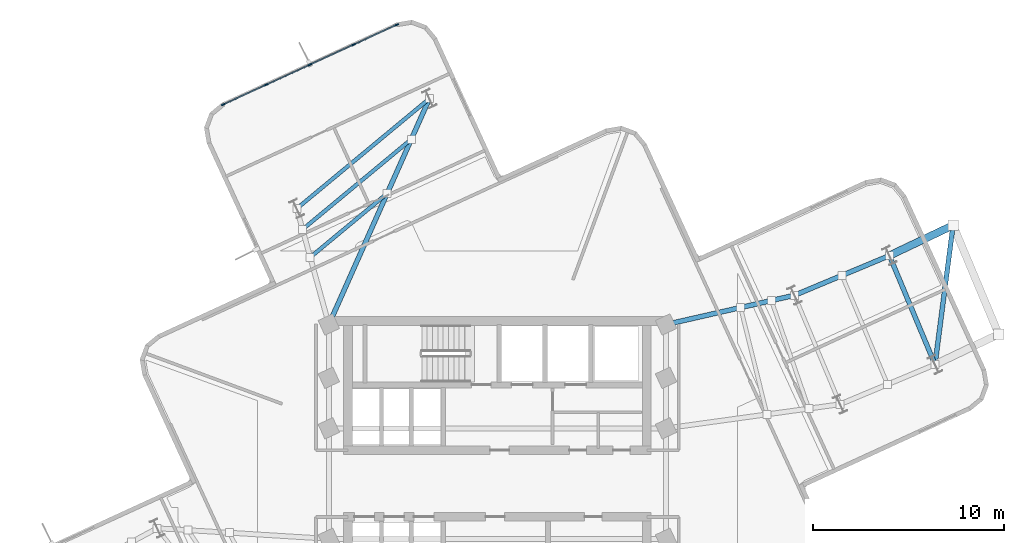
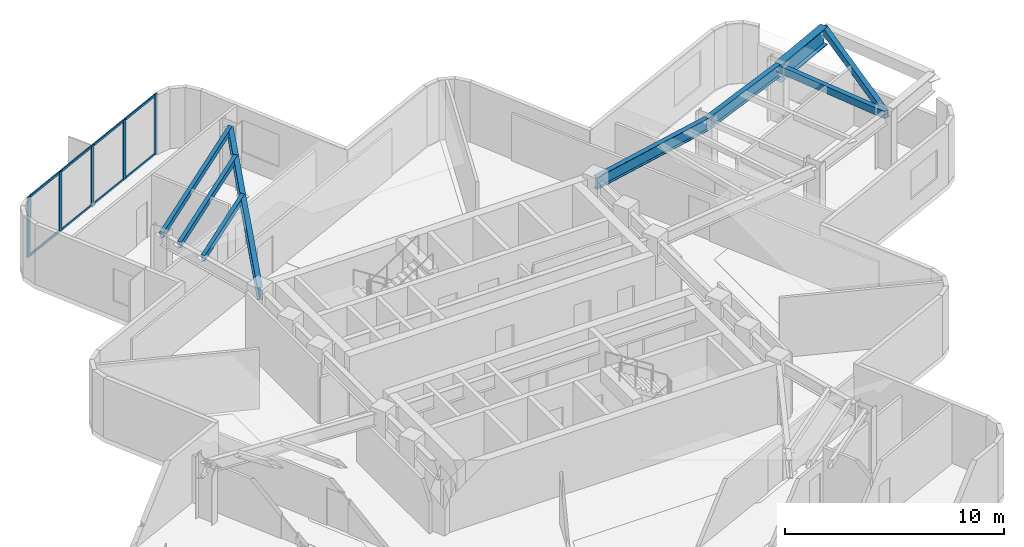
# One storey, part 4 of 11: 13 members, 9 beams, 1 element without a shape of its own.
"""IFC4 building model written with IfcOpenShell, lengths in metres."""

from ifc_helpers import new_model, si_unit, direction, frame, origin, origin_2d, place, context, subcontext, project, spatial, rectangle, hollow_rectangle, i_section, extrude, material, layer, layer_set, material_profile, profile_set, type_object, element, aggregate, save


model = new_model("IFC4")

# Units and contexts
model_context = context("Model", 3, precision=1e-05, world=origin(), true_north=direction((0.0, 1.0)))
body_context = subcontext(model_context, "Body", "Model", "MODEL_VIEW")
ifc_project = project(units=[si_unit("LENGTHUNIT", "METRE"), si_unit("AREAUNIT", "SQUARE_METRE"), si_unit("VOLUMEUNIT", "CUBIC_METRE"), si_unit("PLANEANGLEUNIT", "RADIAN"), si_unit("MASSUNIT", "GRAM", prefix="KILO")], contexts=[model_context])

# Site, building, storey
site_placement = place(None, origin())
site = spatial("IfcSite", under=ifc_project, at=site_placement, CompositionType="ELEMENT")
building_placement = place(site_placement, origin())
building = spatial("IfcBuilding", under=site, at=building_placement, Name="Solmarez Civic Tower", CompositionType="ELEMENT")
storey_placement = place(building_placement, frame((0.0, 0.0, 184.679931640625)))
storey = spatial("IfcBuildingStorey", under=building, at=storey_placement, Name="L49", CompositionType="ELEMENT", Elevation=184.679931640625)

# Beams
ifc_material_1 = material(Name="Steel S355", Category="steel")
ifc_material_profile_1 = material_profile(ifc_material_1, hollow_rectangle(XDim=0.199951171875, YDim=0.300048828125, WallThickness=0.011962890625, at=origin_2d()), Name="HSS300X200X12")
ifc_profile_set_1 = profile_set([ifc_material_profile_1], Name="Steel S355")
beam_type_1 = type_object("IfcBeamType", Name="BM-JS-HSS300X200", PredefinedType="JOIST", material=ifc_profile_set_1)
beam_1_placement = place(storey_placement, frame((-3.570068359375, 20.20703125, 3.190185546875), z_axis=(-0.769767664309, -0.638324167633, 0.0), x_axis=(0.638324167633, -0.769767664309, 0.0)))
element("IfcBeam", 1, at=beam_1_placement, inside=storey, type_object=beam_type_1, Name="L49 Secondary Floor Joist BM-L49-NA-T1", PredefinedType="JOIST", context=body_context, shape_type="SweptSolid", body=[
    extrude(hollow_rectangle(XDim=0.199951171875, YDim=0.300048828125, WallThickness=0.011962890625, at=origin_2d()), origin(), (0.0, 0.0, 1.0), 9.04541015625),
])
beam_2_placement = place(storey_placement, frame((-5.7880859375, 15.22705078125, 3.190185546875), z_axis=(-0.76969549019, -0.63841119381, 0.0), x_axis=(0.63841119381, -0.76969549019, 0.0)))
element("IfcBeam", 2, at=beam_2_placement, inside=storey, type_object=beam_type_1, Name="L49 Secondary Floor Joist JS-L49-NA-M11", PredefinedType="JOIST", context=body_context, shape_type="SweptSolid", body=[
    extrude(hollow_rectangle(XDim=0.199951171875, YDim=0.300048828125, WallThickness=0.011962890625, at=origin_2d()), origin(), (0.0, 0.0, 1.0), 5.24609375),
])
beam_3_placement = place(storey_placement, frame((-4.52001953125, 18.072998046875, 3.190185546875), z_axis=(-0.769756777075, -0.638337296535, 0.0), x_axis=(0.638337296535, -0.769756777075, 0.0)))
element("IfcBeam", 3, at=beam_3_placement, inside=storey, type_object=beam_type_1, Name="L49 Secondary Floor Joist JS-L49-NA-M12", PredefinedType="JOIST", context=body_context, shape_type="SweptSolid", body=[
    extrude(hollow_rectangle(XDim=0.199951171875, YDim=0.300048828125, WallThickness=0.011962890625, at=origin_2d()), origin(), (0.0, 0.0, 1.0), 7.41796875),
])
ifc_material_profile_2 = material_profile(ifc_material_1, i_section(OverallWidth=0.25390625, OverallDepth=0.68798828125, WebThickness=0.01318359375, FlangeThickness=0.02099609375, at=origin_2d()), Name="W27X102")
ifc_profile_set_2 = profile_set([ifc_material_profile_2], Name="Steel S355")
beam_type_2 = type_object("IfcBeamType", Name="BM-PR-W27X102", PredefinedType="BEAM", material=ifc_profile_set_2)
beam_4_placement = place(storey_placement, frame((8.85009765625, 8.35009765625, 2.99609375), z_axis=(0.975124879448, 0.221656196577, 0.0), x_axis=(-0.221656196577, 0.975124879448, 0.0)))
element("IfcBeam", 4, at=beam_4_placement, inside=storey, type_object=beam_type_2, Name="L49 Primary Floor Beam BM-L49-EA-R1B", PredefinedType="BEAM", context=body_context, shape_type="SweptSolid", body=[
    extrude(i_section(OverallWidth=0.25390625, OverallDepth=0.68798828125, WebThickness=0.01318359375, FlangeThickness=0.02099609375, at=origin_2d()), origin(), (0.0, 0.0, 1.0), 6.916015625),
])
beam_5_placement = place(storey_placement, frame((15.593994140625, 9.883056640625, 2.99609375), z_axis=(0.922538326171, 0.385905476438, 0.0), x_axis=(-0.385905476438, 0.922538326171, 0.0)))
element("IfcBeam", 5, at=beam_5_placement, inside=storey, type_object=beam_type_2, Name="L49 Primary Floor Beam BM-L49-EA-R2B", PredefinedType="BEAM", context=body_context, shape_type="SweptSolid", body=[
    extrude(i_section(OverallWidth=0.25390625, OverallDepth=0.68798828125, WebThickness=0.01318359375, FlangeThickness=0.02099609375, at=origin_2d()), origin(), (0.0, 0.0, 1.0), 5.400146484375),
])
beam_6_placement = place(storey_placement, frame((-8.85009765625, 8.35009765625, 2.99609375), z_axis=(0.406799805731, 0.9135173332, 0.0), x_axis=(-0.9135173332, 0.406799805731, 0.0)))
element("IfcBeam", 6, at=beam_6_placement, inside=storey, type_object=beam_type_2, Name="L49 Primary Floor Beam BM-L49-NA-R1A", PredefinedType="BEAM", context=body_context, shape_type="SweptSolid", body=[
    extrude(i_section(OverallWidth=0.25390625, OverallDepth=0.68798828125, WebThickness=0.01318359375, FlangeThickness=0.02099609375, at=origin_2d()), origin(), (0.0, 0.0, 1.0), 12.9794921875),
])
ifc_material_profile_3 = material_profile(ifc_material_1, hollow_rectangle(XDim=0.25, YDim=0.39990234375, WallThickness=0.01611328125, at=origin_2d()), Name="HSS400X250X16")
ifc_profile_set_3 = profile_set([ifc_material_profile_3], Name="Steel S355")
beam_type_3 = type_object("IfcBeamType", Name="BM-SP-HSS400X250", PredefinedType="SPANDREL", material=ifc_profile_set_3)
beam_7_placement = place(storey_placement, frame((22.968017578125, 6.248046875, 3.14013671875), z_axis=(-0.385876218946, 0.922550564279, 0.0), x_axis=(-0.922550564279, -0.385876218946, 0.0)))
element("IfcBeam", 7, at=beam_7_placement, inside=storey, type_object=beam_type_3, Name="L49 Perimeter Spandrel Beam BM-L49-EA-T2", PredefinedType="SPANDREL", context=body_context, shape_type="SweptSolid", body=[
    extrude(hollow_rectangle(XDim=0.25, YDim=0.39990234375, WallThickness=0.01611328125, at=origin_2d()), origin(), (0.0, 0.0, 1.0), 6.19921875),
])
beam_8_placement = place(storey_placement, frame((22.968017578125, 6.248046875, 3.14013671875), z_axis=(0.128737398364, 0.991678719275, 0.0), x_axis=(-0.991678719275, 0.128737398364, 0.0)))
element("IfcBeam", 8, at=beam_8_placement, inside=storey, type_object=beam_type_3, Name="L49 Perimeter Spandrel Beam BM-POOL-DIAG-L49", PredefinedType="SPANDREL", context=body_context, shape_type="SweptSolid", body=[
    extrude(hollow_rectangle(XDim=0.25, YDim=0.39990234375, WallThickness=0.01611328125, at=origin_2d()), origin(), (0.0, 0.0, 1.0), 7.371337890625),
])
ifc_material_profile_4 = material_profile(ifc_material_1, i_section(OverallWidth=0.39892578125, OverallDepth=1.0, WebThickness=0.01904296875, FlangeThickness=0.0361328125, at=origin_2d()), Name="W40X249")
ifc_profile_set_4 = profile_set([ifc_material_profile_4], Name="Steel S355")
beam_type_4 = type_object("IfcBeamType", Name="BM-TG-W40X249", PredefinedType="USERDEFINED", material=ifc_profile_set_4)
beam_9_placement = place(storey_placement, frame((20.575927734375, 11.967041015625, 2.840087890625), z_axis=(0.90285198229, 0.429951506656, 0.0), x_axis=(-0.429951506656, 0.90285198229, 0.0)))
element("IfcBeam", 9, at=beam_9_placement, inside=storey, type_object=beam_type_4, Name="L49 Transfer Girder TG-POOL-CANT-N", ObjectType="TRANSFER_GIRDER", PredefinedType="USERDEFINED", context=body_context, shape_type="SweptSolid", body=[
    extrude(i_section(OverallWidth=0.39892578125, OverallDepth=1.0, WebThickness=0.01904296875, FlangeThickness=0.0361328125, at=origin_2d()), origin(), (0.0, 0.0, 1.0), 3.70068359375),
])

# Curtain wall, members
ifc_material_2 = material(Name="Bronze Anodised Aluminium EN AW-6063 T6", Category="aluminium")
ifc_layer = layer(ifc_material_2, 0.2099609375)
ifc_layer_set = layer_set([ifc_layer], Name="Bronze Anodised Aluminium EN AW-6063 T6")
curtain_wall_type = type_object("IfcCurtainWallType", Name="CW-SYS-5", PredefinedType="NOTDEFINED", material=ifc_layer_set)
curtain_wall_placement = place(storey_placement, origin())
curtain_wall = element("IfcCurtainWall", 10, at=curtain_wall_placement, inside=storey, type_object=curtain_wall_type, Name="L49 Stick-Built Curtain Wall 2", PredefinedType="NOTDEFINED")
ifc_material_profile_5 = material_profile(ifc_material_2, rectangle(XDim=0.074951171875, YDim=0.199951171875, at=origin_2d()), Name="CWM-75X200")
ifc_profile_set_5 = profile_set([ifc_material_profile_5], Name="Bronze Anodised Aluminium EN AW-6063 T6")
member_type_1 = type_object("IfcMemberType", Name="CWM-TYPE-1", PredefinedType="MULLION", material=ifc_profile_set_5)
member_1_placement = place(storey_placement, frame((-14.39599609375, 19.896728515625, 0.0), z_axis=(0.0, 0.0, 1.0), x_axis=(-0.417469242296, 0.908691054064, 0.0)))
member_1 = element("IfcMember", 11, at=member_1_placement, type_object=member_type_1, Name="CWS5 mullion 1", PredefinedType="MULLION", context=body_context, shape_type="SweptSolid", body=[
    extrude(rectangle(XDim=0.074951171875, YDim=0.199951171875, at=origin_2d()), origin(), (0.0, 0.0, 1.0), 3.340087890625),
])
member_2_placement = place(storey_placement, frame((-12.13525390625, 20.935302734375, 0.0), z_axis=(0.0, 0.0, 1.0), x_axis=(-0.417469242296, 0.908691054064, 0.0)))
member_2 = element("IfcMember", 12, at=member_2_placement, type_object=member_type_1, Name="CWS5 mullion 2", PredefinedType="MULLION", context=body_context, shape_type="SweptSolid", body=[
    extrude(rectangle(XDim=0.074951171875, YDim=0.199951171875, at=origin_2d()), origin(), (0.0, 0.0, 1.0), 3.340087890625),
])
member_3_placement = place(storey_placement, frame((-9.840576171875, 21.989501953125, 0.0), z_axis=(0.0, 0.0, 1.0), x_axis=(-0.417469242296, 0.908691054064, 0.0)))
member_3 = element("IfcMember", 13, at=member_3_placement, type_object=member_type_1, Name="CWS5 mullion 3", PredefinedType="MULLION", context=body_context, shape_type="SweptSolid", body=[
    extrude(rectangle(XDim=0.074951171875, YDim=0.199951171875, at=origin_2d()), origin(), (0.0, 0.0, 1.0), 3.340087890625),
])
member_4_placement = place(storey_placement, frame((-7.545654296875, 23.043701171875, 0.0), z_axis=(0.0, 0.0, 1.0), x_axis=(-0.417469242296, 0.908691054064, 0.0)))
member_4 = element("IfcMember", 14, at=member_4_placement, type_object=member_type_1, Name="CWS5 mullion 4", PredefinedType="MULLION", context=body_context, shape_type="SweptSolid", body=[
    extrude(rectangle(XDim=0.074951171875, YDim=0.199951171875, at=origin_2d()), origin(), (0.0, 0.0, 1.0), 3.340087890625),
])
member_5_placement = place(storey_placement, frame((-5.28515625, 24.082275390625, 0.0), z_axis=(0.0, 0.0, 1.0), x_axis=(-0.417469242296, 0.908691054064, 0.0)))
member_5 = element("IfcMember", 15, at=member_5_placement, type_object=member_type_1, Name="CWS5 mullion 5", PredefinedType="MULLION", context=body_context, shape_type="SweptSolid", body=[
    extrude(rectangle(XDim=0.074951171875, YDim=0.199951171875, at=origin_2d()), origin(), (0.0, 0.0, 1.0), 3.340087890625),
])
ifc_material_profile_6 = material_profile(ifc_material_2, rectangle(XDim=0.06494140625, YDim=0.125, at=origin_2d()), Name="CWT-65X125")
ifc_profile_set_6 = profile_set([ifc_material_profile_6], Name="Bronze Anodised Aluminium EN AW-6063 T6")
member_type_2 = type_object("IfcMemberType", Name="CWT-TYPE-2", PredefinedType="USERDEFINED", material=ifc_profile_set_6)
member_6_placement = place(storey_placement, frame((-14.36181640625, 19.912353515625, 0.032470703125), z_axis=(0.908674768912, 0.41750468781, 0.0), x_axis=(-0.41750468781, 0.908674768912, 0.0)))
member_6 = element("IfcMember", 16, at=member_6_placement, type_object=member_type_2, Name="CWS5 transom 1.1", ObjectType="TRANSOM", PredefinedType="USERDEFINED", context=body_context, shape_type="SweptSolid", body=[
    extrude(rectangle(XDim=0.06494140625, YDim=0.125, at=origin_2d()), origin(), (0.0, 0.0, 1.0), 2.412841796875),
])
member_7_placement = place(storey_placement, frame((-14.36181640625, 19.912353515625, 3.3076171875), z_axis=(0.908674768912, 0.41750468781, 0.0), x_axis=(-0.41750468781, 0.908674768912, 0.0)))
member_7 = element("IfcMember", 17, at=member_7_placement, type_object=member_type_2, Name="CWS5 transom 1.2", ObjectType="TRANSOM", PredefinedType="USERDEFINED", context=body_context, shape_type="SweptSolid", body=[
    extrude(rectangle(XDim=0.06494140625, YDim=0.125, at=origin_2d()), origin(), (0.0, 0.0, 1.0), 2.412841796875),
])
member_8_placement = place(storey_placement, frame((-12.10107421875, 20.950927734375, 0.032470703125), z_axis=(0.908687059762, 0.417477936448, 0.0), x_axis=(-0.417477936448, 0.908687059762, 0.0)))
member_8 = element("IfcMember", 18, at=member_8_placement, type_object=member_type_2, Name="CWS5 transom 2.1", ObjectType="TRANSOM", PredefinedType="USERDEFINED", context=body_context, shape_type="SweptSolid", body=[
    extrude(rectangle(XDim=0.06494140625, YDim=0.125, at=origin_2d()), origin(), (0.0, 0.0, 1.0), 2.4501953125),
])
member_9_placement = place(storey_placement, frame((-12.10107421875, 20.950927734375, 3.3076171875), z_axis=(0.908687059762, 0.417477936448, 0.0), x_axis=(-0.417477936448, 0.908687059762, 0.0)))
member_9 = element("IfcMember", 19, at=member_9_placement, type_object=member_type_2, Name="CWS5 transom 2.2", ObjectType="TRANSOM", PredefinedType="USERDEFINED", context=body_context, shape_type="SweptSolid", body=[
    extrude(rectangle(XDim=0.06494140625, YDim=0.125, at=origin_2d()), origin(), (0.0, 0.0, 1.0), 2.4501953125),
])
member_10_placement = place(storey_placement, frame((-9.806396484375, 22.005126953125, 0.032470703125), z_axis=(0.908687059762, 0.417477936448, 0.0), x_axis=(-0.417477936448, 0.908687059762, 0.0)))
member_10 = element("IfcMember", 20, at=member_10_placement, type_object=member_type_2, Name="CWS5 transom 3.1", ObjectType="TRANSOM", PredefinedType="USERDEFINED", context=body_context, shape_type="SweptSolid", body=[
    extrude(rectangle(XDim=0.06494140625, YDim=0.125, at=origin_2d()), origin(), (0.0, 0.0, 1.0), 2.4501953125),
])
member_11_placement = place(storey_placement, frame((-9.806396484375, 22.005126953125, 3.3076171875), z_axis=(0.908687059762, 0.417477936448, 0.0), x_axis=(-0.417477936448, 0.908687059762, 0.0)))
member_11 = element("IfcMember", 21, at=member_11_placement, type_object=member_type_2, Name="CWS5 transom 3.2", ObjectType="TRANSOM", PredefinedType="USERDEFINED", context=body_context, shape_type="SweptSolid", body=[
    extrude(rectangle(XDim=0.06494140625, YDim=0.125, at=origin_2d()), origin(), (0.0, 0.0, 1.0), 2.4501953125),
])
member_12_placement = place(storey_placement, frame((-7.51171875, 23.059326171875, 0.032470703125), z_axis=(0.908692404703, 0.417466302394, 0.0), x_axis=(-0.417466302394, 0.908692404703, 0.0)))
member_12 = element("IfcMember", 22, at=member_12_placement, type_object=member_type_2, Name="CWS5 transom 4.1", ObjectType="TRANSOM", PredefinedType="USERDEFINED", context=body_context, shape_type="SweptSolid", body=[
    extrude(rectangle(XDim=0.06494140625, YDim=0.125, at=origin_2d()), origin(), (0.0, 0.0, 1.0), 2.412841796875),
])
member_13_placement = place(storey_placement, frame((-7.51171875, 23.059326171875, 3.3076171875), z_axis=(0.908692404703, 0.417466302394, 0.0), x_axis=(-0.417466302394, 0.908692404703, 0.0)))
member_13 = element("IfcMember", 23, at=member_13_placement, type_object=member_type_2, Name="CWS5 transom 4.2", ObjectType="TRANSOM", PredefinedType="USERDEFINED", context=body_context, shape_type="SweptSolid", body=[
    extrude(rectangle(XDim=0.06494140625, YDim=0.125, at=origin_2d()), origin(), (0.0, 0.0, 1.0), 2.412841796875),
])
aggregate(curtain_wall, [member_1, member_2, member_3, member_4, member_5, member_6, member_7, member_8, member_9, member_10, member_11, member_12, member_13])

save(model, "model.ifc")
